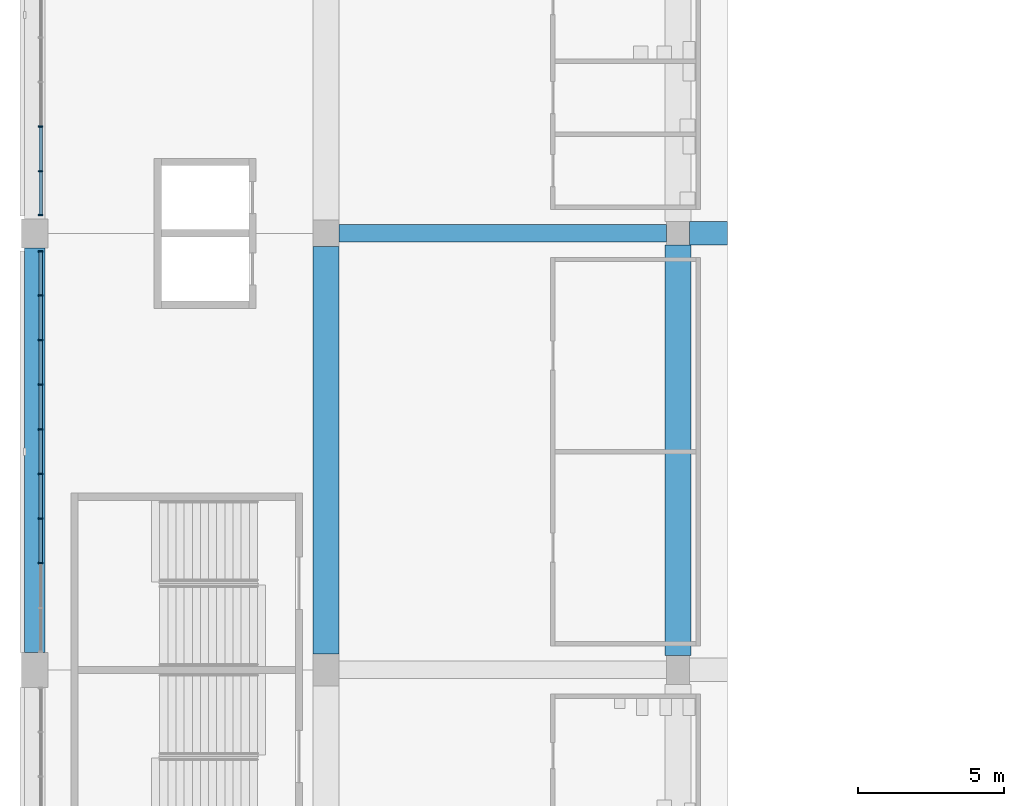
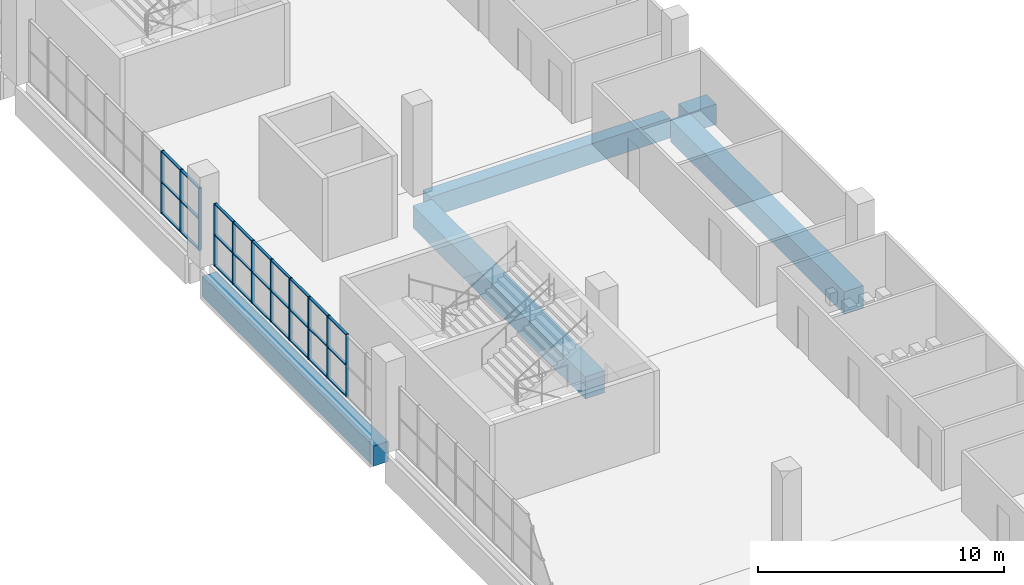
# One storey, part 19 of 199: 38 members, 5 beams, 2 elements without a shape of their own.
"""IFC4 building model written with IfcOpenShell, lengths in metres."""

import ifcopenshell
import ifcopenshell.guid

model = None  # the IFC model being written
_history = None  # IfcOwnerHistory: only IFC2X3 demands one
_inside = {}  # id of a spatial element -> (the spatial element, [elements in it])
_under = {}  # id of a project, library or spatial element -> (it, [spatial elements below it])
_declared = {}  # id of a project -> (the project, [libraries it declares])
_typed = {}  # id of a type object -> (the type object, [elements of that type])
_made_of = {}  # id of a material, layer set ... -> (it, [elements and type objects made of it])


def new_model(schema):
    """Start an empty IFC model of exactly this schema.

    Asked for "IFC4X3", IfcOpenShell would pick the latest addendum, in which some entities
    have other attributes; the version numbers below select the first issue.
    IFC2X3 requires an IfcOwnerHistory on every rooted entity: one is made here for all.
    """
    global model, _history
    if schema == "IFC4X3":
        model = ifcopenshell.file(schema_version=(4, 3, 0, 0))
    else:
        model = ifcopenshell.file(schema=schema)
    _inside.clear()
    _under.clear()
    _declared.clear()
    _typed.clear()
    _made_of.clear()
    _history = None
    if model.schema == "IFC2X3":
        org = make("IfcOrganization", Name="unknown")
        user = make(
            "IfcPersonAndOrganization",
            ThePerson=make("IfcPerson", FamilyName="unknown"),
            TheOrganization=org,
        )
        app = make(
            "IfcApplication",
            ApplicationDeveloper=org,
            Version="unknown",
            ApplicationFullName="unknown",
            ApplicationIdentifier="unknown",
        )
        _history = make(
            "IfcOwnerHistory",
            OwningUser=user,
            OwningApplication=app,
            ChangeAction="ADDED",
            CreationDate=0,
        )
    return model


def make(cls, **values):
    """One entity of the class cls with the attributes given. An attribute that is None is left unset."""
    return model.create_entity(
        cls, **{name: value for name, value in values.items() if value is not None}
    )


def rooted(cls, **values):
    """An entity with a GlobalId (a new one), such as an element, a storey or a relation."""
    return make(cls, GlobalId=ifcopenshell.guid.new(), OwnerHistory=_history, **values)


def si_unit(unit_type, name, prefix=None):
    """IfcSIUnit, for example si_unit("LENGTHUNIT", "METRE", prefix="MILLI")."""
    return make("IfcSIUnit", UnitType=unit_type, Prefix=prefix, Name=name)


def assignment(units):
    """IfcUnitAssignment: the units of a project."""
    return None if units is None else make("IfcUnitAssignment", Units=units)


def point(xyz):
    """IfcCartesianPoint."""
    return None if xyz is None else make("IfcCartesianPoint", Coordinates=xyz)


def direction(xyz):
    """IfcDirection."""
    return None if xyz is None else make("IfcDirection", DirectionRatios=xyz)


def frame(location, z_axis=None, x_axis=None):
    """IfcAxis2Placement3D, a coordinate frame: its origin and axes. An axis left out is left unset."""
    return make(
        "IfcAxis2Placement3D",
        Location=point(location),
        Axis=direction(z_axis),
        RefDirection=direction(x_axis),
    )


def frame_2d(location, x_axis=None):
    """IfcAxis2Placement2D, a coordinate frame in the plane: its origin and x axis."""
    return make(
        "IfcAxis2Placement2D", Location=point(location), RefDirection=direction(x_axis)
    )


def origin():
    """The frame at (0, 0, 0) with its axes left unset."""
    return frame((0.0, 0.0, 0.0))


def origin_2d():
    """The frame at (0, 0) in the plane with its x axis left unset."""
    return frame_2d((0.0, 0.0))


def place(relative_to, where):
    """IfcLocalPlacement: puts the frame where relative to a parent placement (None: the world)."""
    return make(
        "IfcLocalPlacement", PlacementRelTo=relative_to, RelativePlacement=where
    )


def context(
    kind, dimensions, precision=None, world=None, true_north=None, identifier=None
):
    """IfcGeometricRepresentationContext, for example the 3D "Model" context."""
    return make(
        "IfcGeometricRepresentationContext",
        ContextIdentifier=identifier,
        ContextType=kind,
        CoordinateSpaceDimension=dimensions,
        Precision=precision,
        WorldCoordinateSystem=world,
        TrueNorth=true_north,
    )


def subcontext(parent, identifier, kind, view, scale=None):
    """IfcGeometricRepresentationSubContext, for example "Body" below "Model"."""
    return make(
        "IfcGeometricRepresentationSubContext",
        ContextIdentifier=identifier,
        ContextType=kind,
        ParentContext=parent,
        TargetScale=scale,
        TargetView=view,
    )


def project(units=None, contexts=None):
    """IfcProject with its units and contexts."""
    return rooted(
        "IfcProject",
        Name="project",
        RepresentationContexts=contexts,
        UnitsInContext=assignment(units),
    )


def spatial(cls, under=None, at=None, **own):
    """A site, building, storey or space (cls), placed at a placement, below another one or the project."""
    s = rooted(cls, ObjectPlacement=at, **own)
    if under is not None:
        _under.setdefault(under.id(), (under, []))[1].append(s)
    return s


def profile(cls, at=None, kind="AREA", **sizes):
    """A parametric profile (cls). Its sizes go by their IFC names, for example OverallWidth=200.0."""
    return make(cls, ProfileType=kind, Position=at, **sizes)


def rectangle(**sizes):
    """IfcRectangleProfileDef."""
    return profile("IfcRectangleProfileDef", **sizes)


def extrude(swept, where, along, depth):
    """IfcExtrudedAreaSolid: the profile swept, set in the frame where, extruded along a direction by depth."""
    return make(
        "IfcExtrudedAreaSolid",
        SweptArea=swept,
        Position=where,
        ExtrudedDirection=direction(along),
        Depth=depth,
    )


def shape(context_of_items, identifier, shape_type, items):
    """IfcShapeRepresentation: the items that make up one representation, for example the "Body"."""
    return make(
        "IfcShapeRepresentation",
        ContextOfItems=context_of_items,
        RepresentationIdentifier=identifier,
        RepresentationType=shape_type,
        Items=items,
    )


def material(Name=None, Category=None):
    """IfcMaterial."""
    return make("IfcMaterial", Name=Name, Category=Category)


def material_profile(
    of_material, cross_section, Name=None, Category=None, Priority=None
):
    """IfcMaterialProfile: a cross section and its material."""
    return make(
        "IfcMaterialProfile",
        Name=Name,
        Material=of_material,
        Profile=cross_section,
        Priority=Priority,
        Category=Category,
    )


def profile_set(profiles, Name=None, composite=None):
    """IfcMaterialProfileSet."""
    return make(
        "IfcMaterialProfileSet",
        Name=Name,
        MaterialProfiles=profiles,
        CompositeProfile=composite,
    )


def made_of(thing, what):
    """Note that an element or type object is made of a material, layer set ...; save() writes the relation."""
    if what is not None:
        _made_of.setdefault(what.id(), (what, []))[1].append(thing)
    return thing


def type_object(cls, material=None, **own):
    """A type object (cls), such as IfcWallType, which elements share."""
    return made_of(rooted(cls, **own), material)


def element(
    cls,
    number,
    at=None,
    inside=None,
    cuts=None,
    type_object=None,
    material=None,
    context=None,
    identifier="Body",
    shape_type=None,
    held_by="IfcProductDefinitionShape",
    body=None,
    shapes=None,
    **own,
):
    """One element of the class cls, such as IfcWall. Its Tag is "e" and its number.

    at: its placement. inside: the storey or other place that contains it. cuts: it is an
    opening in that element (IfcRelVoidsElement). A single representation is given by context,
    identifier, shape_type and body (its items); several are given by shapes. held_by: the class
    of the entity that holds the representations. save() writes the other relations.
    """
    e = rooted(cls, Tag="e%d" % number, ObjectPlacement=at, **own)
    if body is not None:
        shapes = [shape(context, identifier, shape_type, body)]
    if shapes is not None:
        e.Representation = make(held_by, Representations=shapes)
    if inside is not None:
        _inside.setdefault(inside.id(), (inside, []))[1].append(e)
    if cuts is not None:
        rooted(
            "IfcRelVoidsElement", RelatingBuildingElement=cuts, RelatedOpeningElement=e
        )
    if type_object is not None:
        _typed.setdefault(type_object.id(), (type_object, []))[1].append(e)
    return made_of(e, material)


def aggregate(whole, parts):
    """IfcRelAggregates: a whole, such as a stair, and the parts it consists of."""
    return rooted("IfcRelAggregates", RelatingObject=whole, RelatedObjects=parts)


def save(model, path):
    """Write the relations noted so far, then the file.

    IfcRelAggregates (storeys below a building ...), IfcRelContainedInSpatialStructure (elements
    in a storey), IfcRelDefinesByType, IfcRelAssociatesMaterial and IfcRelDeclares: one each for
    every whole, place, type object, material and project.
    """
    for whole, parts in _under.values():
        aggregate(whole, parts)
    for where, things in _inside.values():
        rooted(
            "IfcRelContainedInSpatialStructure",
            RelatedElements=things,
            RelatingStructure=where,
        )
    for kind, things in _typed.values():
        rooted("IfcRelDefinesByType", RelatedObjects=things, RelatingType=kind)
    for what, things in _made_of.values():
        rooted("IfcRelAssociatesMaterial", RelatedObjects=things, RelatingMaterial=what)
    for by, libraries in _declared.values():
        rooted("IfcRelDeclares", RelatingContext=by, RelatedDefinitions=libraries)
    model.write(path)


model = new_model("IFC4")

# Units and contexts
model_context = context("Model", 3, precision=1e-05, world=origin(), true_north=direction((0.0, 1.0)))
body_context = subcontext(model_context, "Body", "Model", "MODEL_VIEW")
ifc_project = project(units=[si_unit("LENGTHUNIT", "METRE"), si_unit("AREAUNIT", "SQUARE_METRE"), si_unit("VOLUMEUNIT", "CUBIC_METRE"), si_unit("PLANEANGLEUNIT", "RADIAN"), si_unit("MASSUNIT", "GRAM", prefix="KILO")], contexts=[model_context])

# Site, building, storey
site_placement = place(None, origin())
site = spatial("IfcSite", under=ifc_project, at=site_placement, CompositionType="ELEMENT")
building_placement = place(site_placement, origin())
building = spatial("IfcBuilding", under=site, at=building_placement, Name="Ogive Plaza Stadium", CompositionType="ELEMENT")
storey_placement = place(building_placement, frame((0.0, 0.0, 4.5)))
storey = spatial("IfcBuildingStorey", under=building, at=storey_placement, Name="L01", CompositionType="ELEMENT", Elevation=4.5)

# Curtain wall, members
ifc_material_1 = material(Name="Bronze-anodised aluminium with laminated glass", Category="aluminium")
curtain_wall_type = type_object("IfcCurtainWallType", Name="Lancet curtain wall", PredefinedType="NOTDEFINED", material=ifc_material_1)
curtain_wall_1_placement = place(storey_placement, origin())
curtain_wall_1 = element("IfcCurtainWall", 1, at=curtain_wall_1_placement, inside=storey, type_object=curtain_wall_type, Name="CURTAIN WALL B24 L01", PredefinedType="NOTDEFINED")
ifc_material_2 = material(Name="Bronze-anodised aluminium", Category="aluminium")
ifc_material_profile_1 = material_profile(ifc_material_2, rectangle(XDim=0.14990234375, YDim=0.050048828125, at=origin_2d()), Name="AL 150x50")
ifc_profile_set_1 = profile_set([ifc_material_profile_1], Name="Bronze-anodised aluminium")
member_type_1 = type_object("IfcMemberType", Name="Curtain wall mullion 50x150", PredefinedType="MULLION", material=ifc_profile_set_1)
member_1_placement = place(storey_placement, frame((-83.800048828125, -3.833251953125, 0.0), z_axis=(0.0, 0.0, 1.0), x_axis=(-1.0, 0.0, 0.0)))
member_1 = element("IfcMember", 2, at=member_1_placement, type_object=member_type_1, Name="CW-B24-L01 mullion 3", PredefinedType="MULLION", context=body_context, shape_type="SweptSolid", body=[
    extrude(rectangle(XDim=0.14990234375, YDim=0.050048828125, at=origin_2d()), origin(), (0.0, 0.0, 1.0), 3.090087890625),
])
member_2_placement = place(storey_placement, frame((-83.800048828125, -2.300048828125, 0.0), z_axis=(0.0, 0.0, 1.0), x_axis=(-1.0, 0.0, 0.0)))
member_2 = element("IfcMember", 3, at=member_2_placement, type_object=member_type_1, Name="CW-B24-L01 mullion 4", PredefinedType="MULLION", context=body_context, shape_type="SweptSolid", body=[
    extrude(rectangle(XDim=0.14990234375, YDim=0.050048828125, at=origin_2d()), origin(), (0.0, 0.0, 1.0), 3.090087890625),
])
member_3_placement = place(storey_placement, frame((-83.800048828125, -0.7666015625, 0.0), z_axis=(0.0, 0.0, 1.0), x_axis=(-1.0, 0.0, 0.0)))
member_3 = element("IfcMember", 4, at=member_3_placement, type_object=member_type_1, Name="CW-B24-L01 mullion 5", PredefinedType="MULLION", context=body_context, shape_type="SweptSolid", body=[
    extrude(rectangle(XDim=0.14990234375, YDim=0.050048828125, at=origin_2d()), origin(), (0.0, 0.0, 1.0), 3.090087890625),
])
member_4_placement = place(storey_placement, frame((-83.800048828125, 0.7666015625, 0.0), z_axis=(0.0, 0.0, 1.0), x_axis=(-1.0, 0.0, 0.0)))
member_4 = element("IfcMember", 5, at=member_4_placement, type_object=member_type_1, Name="CW-B24-L01 mullion 6", PredefinedType="MULLION", context=body_context, shape_type="SweptSolid", body=[
    extrude(rectangle(XDim=0.14990234375, YDim=0.050048828125, at=origin_2d()), origin(), (0.0, 0.0, 1.0), 3.090087890625),
])
member_5_placement = place(storey_placement, frame((-83.800048828125, 2.300048828125, 0.0), z_axis=(0.0, 0.0, 1.0), x_axis=(-1.0, 0.0, 0.0)))
member_5 = element("IfcMember", 6, at=member_5_placement, type_object=member_type_1, Name="CW-B24-L01 mullion 7", PredefinedType="MULLION", context=body_context, shape_type="SweptSolid", body=[
    extrude(rectangle(XDim=0.14990234375, YDim=0.050048828125, at=origin_2d()), origin(), (0.0, 0.0, 1.0), 3.090087890625),
])
member_6_placement = place(storey_placement, frame((-83.800048828125, 3.833251953125, 0.0), z_axis=(0.0, 0.0, 1.0), x_axis=(-1.0, 0.0, 0.0)))
member_6 = element("IfcMember", 7, at=member_6_placement, type_object=member_type_1, Name="CW-B24-L01 mullion 8", PredefinedType="MULLION", context=body_context, shape_type="SweptSolid", body=[
    extrude(rectangle(XDim=0.14990234375, YDim=0.050048828125, at=origin_2d()), origin(), (0.0, 0.0, 1.0), 3.090087890625),
])
member_7_placement = place(storey_placement, frame((-83.800048828125, 5.36669921875, 0.0), z_axis=(0.0, 0.0, 1.0), x_axis=(-1.0, 0.0, 0.0)))
member_7 = element("IfcMember", 8, at=member_7_placement, type_object=member_type_1, Name="CW-B24-L01 mullion 9", PredefinedType="MULLION", context=body_context, shape_type="SweptSolid", body=[
    extrude(rectangle(XDim=0.14990234375, YDim=0.050048828125, at=origin_2d()), origin(), (0.0, 0.0, 1.0), 3.090087890625),
])
member_8_placement = place(storey_placement, frame((-83.800048828125, 6.875, 0.0), z_axis=(0.0, 0.0, 1.0), x_axis=(-1.0, 0.0, 0.0)))
member_8 = element("IfcMember", 9, at=member_8_placement, type_object=member_type_1, Name="CW-B24-L01 mullion 10", PredefinedType="MULLION", context=body_context, shape_type="SweptSolid", body=[
    extrude(rectangle(XDim=0.14990234375, YDim=0.050048828125, at=origin_2d()), origin(), (0.0, 0.0, 1.0), 3.090087890625),
])

curtain_wall_2_placement = place(storey_placement, origin())
curtain_wall_2 = element("IfcCurtainWall", 10, at=curtain_wall_2_placement, inside=storey, type_object=curtain_wall_type, Name="CURTAIN WALL B25 L01", PredefinedType="NOTDEFINED")
member_9_placement = place(storey_placement, frame((-83.800048828125, 8.125, 0.0), z_axis=(0.0, 0.0, 1.0), x_axis=(-1.0, 0.0, 0.0)))
member_9 = element("IfcMember", 11, at=member_9_placement, type_object=member_type_1, Name="CW-B25-L01 mullion 1", PredefinedType="MULLION", context=body_context, shape_type="SweptSolid", body=[
    extrude(rectangle(XDim=0.14990234375, YDim=0.050048828125, at=origin_2d()), origin(), (0.0, 0.0, 1.0), 3.090087890625),
])
member_10_placement = place(storey_placement, frame((-83.800048828125, 9.63330078125, 0.0), z_axis=(0.0, 0.0, 1.0), x_axis=(-1.0, 0.0, 0.0)))
member_10 = element("IfcMember", 12, at=member_10_placement, type_object=member_type_1, Name="CW-B25-L01 mullion 2", PredefinedType="MULLION", context=body_context, shape_type="SweptSolid", body=[
    extrude(rectangle(XDim=0.14990234375, YDim=0.050048828125, at=origin_2d()), origin(), (0.0, 0.0, 1.0), 3.090087890625),
])
member_11_placement = place(storey_placement, frame((-83.800048828125, 11.166748046875, 0.0), z_axis=(0.0, 0.0, 1.0), x_axis=(-1.0, 0.0, 0.0)))
member_11 = element("IfcMember", 13, at=member_11_placement, type_object=member_type_1, Name="CW-B25-L01 mullion 3", PredefinedType="MULLION", context=body_context, shape_type="SweptSolid", body=[
    extrude(rectangle(XDim=0.14990234375, YDim=0.050048828125, at=origin_2d()), origin(), (0.0, 0.0, 1.0), 3.090087890625),
])

# Member
ifc_material_3 = material(Name="Bronze-anodised aluminium", Category="aluminium")
ifc_material_profile_2 = material_profile(ifc_material_3, rectangle(XDim=0.1201171875, YDim=0.050048828125, at=origin_2d()), Name="AL 120x50")
ifc_profile_set_2 = profile_set([ifc_material_profile_2], Name="Bronze-anodised aluminium")
member_type_2 = type_object("IfcMemberType", Name="Curtain wall transom 50x120", PredefinedType="USERDEFINED", material=ifc_profile_set_2)
member_12_placement = place(storey_placement, frame((-83.800048828125, -3.808349609375, 0.02490234375), z_axis=(0.0, 1.0, 0.0), x_axis=(-1.0, 0.0, 0.0)))
member_12 = element("IfcMember", 14, at=member_12_placement, type_object=member_type_2, Name="CW-B24-L01 transom 3.1", ObjectType="TRANSOM", PredefinedType="USERDEFINED", context=body_context, shape_type="SweptSolid", body=[
    extrude(rectangle(XDim=0.1201171875, YDim=0.050048828125, at=origin_2d()), origin(), (0.0, 0.0, 1.0), 1.4833984375),
])

member_13_placement = place(storey_placement, frame((-83.800048828125, -3.808349609375, 1.544921875), z_axis=(0.0, 1.0, 0.0), x_axis=(-1.0, 0.0, 0.0)))
member_13 = element("IfcMember", 15, at=member_13_placement, type_object=member_type_2, Name="CW-B24-L01 transom 3.2", ObjectType="TRANSOM", PredefinedType="USERDEFINED", context=body_context, shape_type="SweptSolid", body=[
    extrude(rectangle(XDim=0.1201171875, YDim=0.050048828125, at=origin_2d()), origin(), (0.0, 0.0, 1.0), 1.4833984375),
])

member_14_placement = place(storey_placement, frame((-83.800048828125, -3.808349609375, 3.06494140625), z_axis=(0.0, 1.0, 0.0), x_axis=(-1.0, 0.0, 0.0)))
member_14 = element("IfcMember", 16, at=member_14_placement, type_object=member_type_2, Name="CW-B24-L01 transom 3.3", ObjectType="TRANSOM", PredefinedType="USERDEFINED", context=body_context, shape_type="SweptSolid", body=[
    extrude(rectangle(XDim=0.1201171875, YDim=0.050048828125, at=origin_2d()), origin(), (0.0, 0.0, 1.0), 1.4833984375),
])

member_15_placement = place(storey_placement, frame((-83.800048828125, -2.27490234375, 0.02490234375), z_axis=(0.0, 1.0, 0.0), x_axis=(-1.0, 0.0, 0.0)))
member_15 = element("IfcMember", 17, at=member_15_placement, type_object=member_type_2, Name="CW-B24-L01 transom 4.1", ObjectType="TRANSOM", PredefinedType="USERDEFINED", context=body_context, shape_type="SweptSolid", body=[
    extrude(rectangle(XDim=0.1201171875, YDim=0.050048828125, at=origin_2d()), origin(), (0.0, 0.0, 1.0), 1.483154296875),
])

member_16_placement = place(storey_placement, frame((-83.800048828125, -2.27490234375, 1.544921875), z_axis=(0.0, 1.0, 0.0), x_axis=(-1.0, 0.0, 0.0)))
member_16 = element("IfcMember", 18, at=member_16_placement, type_object=member_type_2, Name="CW-B24-L01 transom 4.2", ObjectType="TRANSOM", PredefinedType="USERDEFINED", context=body_context, shape_type="SweptSolid", body=[
    extrude(rectangle(XDim=0.1201171875, YDim=0.050048828125, at=origin_2d()), origin(), (0.0, 0.0, 1.0), 1.483154296875),
])

member_17_placement = place(storey_placement, frame((-83.800048828125, -2.27490234375, 3.06494140625), z_axis=(0.0, 1.0, 0.0), x_axis=(-1.0, 0.0, 0.0)))
member_17 = element("IfcMember", 19, at=member_17_placement, type_object=member_type_2, Name="CW-B24-L01 transom 4.3", ObjectType="TRANSOM", PredefinedType="USERDEFINED", context=body_context, shape_type="SweptSolid", body=[
    extrude(rectangle(XDim=0.1201171875, YDim=0.050048828125, at=origin_2d()), origin(), (0.0, 0.0, 1.0), 1.483154296875),
])

member_18_placement = place(storey_placement, frame((-83.800048828125, -0.74169921875, 0.02490234375), z_axis=(0.0, 1.0, 0.0), x_axis=(-1.0, 0.0, 0.0)))
member_18 = element("IfcMember", 20, at=member_18_placement, type_object=member_type_2, Name="CW-B24-L01 transom 5.1", ObjectType="TRANSOM", PredefinedType="USERDEFINED", context=body_context, shape_type="SweptSolid", body=[
    extrude(rectangle(XDim=0.1201171875, YDim=0.050048828125, at=origin_2d()), origin(), (0.0, 0.0, 1.0), 1.4833984375),
])

member_19_placement = place(storey_placement, frame((-83.800048828125, -0.74169921875, 1.544921875), z_axis=(0.0, 1.0, 0.0), x_axis=(-1.0, 0.0, 0.0)))
member_19 = element("IfcMember", 21, at=member_19_placement, type_object=member_type_2, Name="CW-B24-L01 transom 5.2", ObjectType="TRANSOM", PredefinedType="USERDEFINED", context=body_context, shape_type="SweptSolid", body=[
    extrude(rectangle(XDim=0.1201171875, YDim=0.050048828125, at=origin_2d()), origin(), (0.0, 0.0, 1.0), 1.4833984375),
])

member_20_placement = place(storey_placement, frame((-83.800048828125, -0.74169921875, 3.06494140625), z_axis=(0.0, 1.0, 0.0), x_axis=(-1.0, 0.0, 0.0)))
member_20 = element("IfcMember", 22, at=member_20_placement, type_object=member_type_2, Name="CW-B24-L01 transom 5.3", ObjectType="TRANSOM", PredefinedType="USERDEFINED", context=body_context, shape_type="SweptSolid", body=[
    extrude(rectangle(XDim=0.1201171875, YDim=0.050048828125, at=origin_2d()), origin(), (0.0, 0.0, 1.0), 1.4833984375),
])

member_21_placement = place(storey_placement, frame((-83.800048828125, 0.791748046875, 0.02490234375), z_axis=(0.0, 1.0, 0.0), x_axis=(-1.0, 0.0, 0.0)))
member_21 = element("IfcMember", 23, at=member_21_placement, type_object=member_type_2, Name="CW-B24-L01 transom 6.1", ObjectType="TRANSOM", PredefinedType="USERDEFINED", context=body_context, shape_type="SweptSolid", body=[
    extrude(rectangle(XDim=0.1201171875, YDim=0.050048828125, at=origin_2d()), origin(), (0.0, 0.0, 1.0), 1.483154296875),
])

member_22_placement = place(storey_placement, frame((-83.800048828125, 0.791748046875, 1.544921875), z_axis=(0.0, 1.0, 0.0), x_axis=(-1.0, 0.0, 0.0)))
member_22 = element("IfcMember", 24, at=member_22_placement, type_object=member_type_2, Name="CW-B24-L01 transom 6.2", ObjectType="TRANSOM", PredefinedType="USERDEFINED", context=body_context, shape_type="SweptSolid", body=[
    extrude(rectangle(XDim=0.1201171875, YDim=0.050048828125, at=origin_2d()), origin(), (0.0, 0.0, 1.0), 1.483154296875),
])

member_23_placement = place(storey_placement, frame((-83.800048828125, 0.791748046875, 3.06494140625), z_axis=(0.0, 1.0, 0.0), x_axis=(-1.0, 0.0, 0.0)))
member_23 = element("IfcMember", 25, at=member_23_placement, type_object=member_type_2, Name="CW-B24-L01 transom 6.3", ObjectType="TRANSOM", PredefinedType="USERDEFINED", context=body_context, shape_type="SweptSolid", body=[
    extrude(rectangle(XDim=0.1201171875, YDim=0.050048828125, at=origin_2d()), origin(), (0.0, 0.0, 1.0), 1.483154296875),
])

member_24_placement = place(storey_placement, frame((-83.800048828125, 2.324951171875, 0.02490234375), z_axis=(0.0, 1.0, 0.0), x_axis=(-1.0, 0.0, 0.0)))
member_24 = element("IfcMember", 26, at=member_24_placement, type_object=member_type_2, Name="CW-B24-L01 transom 7.1", ObjectType="TRANSOM", PredefinedType="USERDEFINED", context=body_context, shape_type="SweptSolid", body=[
    extrude(rectangle(XDim=0.1201171875, YDim=0.050048828125, at=origin_2d()), origin(), (0.0, 0.0, 1.0), 1.4833984375),
])

member_25_placement = place(storey_placement, frame((-83.800048828125, 2.324951171875, 1.544921875), z_axis=(0.0, 1.0, 0.0), x_axis=(-1.0, 0.0, 0.0)))
member_25 = element("IfcMember", 27, at=member_25_placement, type_object=member_type_2, Name="CW-B24-L01 transom 7.2", ObjectType="TRANSOM", PredefinedType="USERDEFINED", context=body_context, shape_type="SweptSolid", body=[
    extrude(rectangle(XDim=0.1201171875, YDim=0.050048828125, at=origin_2d()), origin(), (0.0, 0.0, 1.0), 1.4833984375),
])

member_26_placement = place(storey_placement, frame((-83.800048828125, 2.324951171875, 3.06494140625), z_axis=(0.0, 1.0, 0.0), x_axis=(-1.0, 0.0, 0.0)))
member_26 = element("IfcMember", 28, at=member_26_placement, type_object=member_type_2, Name="CW-B24-L01 transom 7.3", ObjectType="TRANSOM", PredefinedType="USERDEFINED", context=body_context, shape_type="SweptSolid", body=[
    extrude(rectangle(XDim=0.1201171875, YDim=0.050048828125, at=origin_2d()), origin(), (0.0, 0.0, 1.0), 1.4833984375),
])

member_27_placement = place(storey_placement, frame((-83.800048828125, 3.8583984375, 0.02490234375), z_axis=(0.0, 1.0, 0.0), x_axis=(-1.0, 0.0, 0.0)))
member_27 = element("IfcMember", 29, at=member_27_placement, type_object=member_type_2, Name="CW-B24-L01 transom 8.1", ObjectType="TRANSOM", PredefinedType="USERDEFINED", context=body_context, shape_type="SweptSolid", body=[
    extrude(rectangle(XDim=0.1201171875, YDim=0.050048828125, at=origin_2d()), origin(), (0.0, 0.0, 1.0), 1.483154296875),
])

member_28_placement = place(storey_placement, frame((-83.800048828125, 3.8583984375, 1.544921875), z_axis=(0.0, 1.0, 0.0), x_axis=(-1.0, 0.0, 0.0)))
member_28 = element("IfcMember", 30, at=member_28_placement, type_object=member_type_2, Name="CW-B24-L01 transom 8.2", ObjectType="TRANSOM", PredefinedType="USERDEFINED", context=body_context, shape_type="SweptSolid", body=[
    extrude(rectangle(XDim=0.1201171875, YDim=0.050048828125, at=origin_2d()), origin(), (0.0, 0.0, 1.0), 1.483154296875),
])

member_29_placement = place(storey_placement, frame((-83.800048828125, 3.8583984375, 3.06494140625), z_axis=(0.0, 1.0, 0.0), x_axis=(-1.0, 0.0, 0.0)))
member_29 = element("IfcMember", 31, at=member_29_placement, type_object=member_type_2, Name="CW-B24-L01 transom 8.3", ObjectType="TRANSOM", PredefinedType="USERDEFINED", context=body_context, shape_type="SweptSolid", body=[
    extrude(rectangle(XDim=0.1201171875, YDim=0.050048828125, at=origin_2d()), origin(), (0.0, 0.0, 1.0), 1.483154296875),
])

member_30_placement = place(storey_placement, frame((-83.800048828125, 5.3916015625, 0.02490234375), z_axis=(0.0, 1.0, 0.0), x_axis=(-1.0, 0.0, 0.0)))
member_30 = element("IfcMember", 32, at=member_30_placement, type_object=member_type_2, Name="CW-B24-L01 transom 9.1", ObjectType="TRANSOM", PredefinedType="USERDEFINED", context=body_context, shape_type="SweptSolid", body=[
    extrude(rectangle(XDim=0.1201171875, YDim=0.050048828125, at=origin_2d()), origin(), (0.0, 0.0, 1.0), 1.45849609375),
])

member_31_placement = place(storey_placement, frame((-83.800048828125, 5.3916015625, 1.544921875), z_axis=(0.0, 1.0, 0.0), x_axis=(-1.0, 0.0, 0.0)))
member_31 = element("IfcMember", 33, at=member_31_placement, type_object=member_type_2, Name="CW-B24-L01 transom 9.2", ObjectType="TRANSOM", PredefinedType="USERDEFINED", context=body_context, shape_type="SweptSolid", body=[
    extrude(rectangle(XDim=0.1201171875, YDim=0.050048828125, at=origin_2d()), origin(), (0.0, 0.0, 1.0), 1.45849609375),
])

member_32_placement = place(storey_placement, frame((-83.800048828125, 5.3916015625, 3.06494140625), z_axis=(0.0, 1.0, 0.0), x_axis=(-1.0, 0.0, 0.0)))
member_32 = element("IfcMember", 34, at=member_32_placement, type_object=member_type_2, Name="CW-B24-L01 transom 9.3", ObjectType="TRANSOM", PredefinedType="USERDEFINED", context=body_context, shape_type="SweptSolid", body=[
    extrude(rectangle(XDim=0.1201171875, YDim=0.050048828125, at=origin_2d()), origin(), (0.0, 0.0, 1.0), 1.45849609375),
])

aggregate(curtain_wall_1, [member_1, member_2, member_3, member_4, member_5, member_6, member_7, member_8, member_12, member_13, member_14, member_15, member_16, member_17, member_18, member_19, member_20, member_21, member_22, member_23, member_24, member_25, member_26, member_27, member_28, member_29, member_30, member_31, member_32])

member_33_placement = place(storey_placement, frame((-83.800048828125, 8.14990234375, 0.02490234375), z_axis=(0.0, 1.0, 0.0), x_axis=(-1.0, 0.0, 0.0)))
member_33 = element("IfcMember", 35, at=member_33_placement, type_object=member_type_2, Name="CW-B25-L01 transom 1.1", ObjectType="TRANSOM", PredefinedType="USERDEFINED", context=body_context, shape_type="SweptSolid", body=[
    extrude(rectangle(XDim=0.1201171875, YDim=0.050048828125, at=origin_2d()), origin(), (0.0, 0.0, 1.0), 1.45849609375),
])

member_34_placement = place(storey_placement, frame((-83.800048828125, 8.14990234375, 1.544921875), z_axis=(0.0, 1.0, 0.0), x_axis=(-1.0, 0.0, 0.0)))
member_34 = element("IfcMember", 36, at=member_34_placement, type_object=member_type_2, Name="CW-B25-L01 transom 1.2", ObjectType="TRANSOM", PredefinedType="USERDEFINED", context=body_context, shape_type="SweptSolid", body=[
    extrude(rectangle(XDim=0.1201171875, YDim=0.050048828125, at=origin_2d()), origin(), (0.0, 0.0, 1.0), 1.45849609375),
])

member_35_placement = place(storey_placement, frame((-83.800048828125, 8.14990234375, 3.06494140625), z_axis=(0.0, 1.0, 0.0), x_axis=(-1.0, 0.0, 0.0)))
member_35 = element("IfcMember", 37, at=member_35_placement, type_object=member_type_2, Name="CW-B25-L01 transom 1.3", ObjectType="TRANSOM", PredefinedType="USERDEFINED", context=body_context, shape_type="SweptSolid", body=[
    extrude(rectangle(XDim=0.1201171875, YDim=0.050048828125, at=origin_2d()), origin(), (0.0, 0.0, 1.0), 1.45849609375),
])

member_36_placement = place(storey_placement, frame((-83.800048828125, 9.658447265625, 0.02490234375), z_axis=(0.0, 1.0, 0.0), x_axis=(-1.0, 0.0, 0.0)))
member_36 = element("IfcMember", 38, at=member_36_placement, type_object=member_type_2, Name="CW-B25-L01 transom 2.1", ObjectType="TRANSOM", PredefinedType="USERDEFINED", context=body_context, shape_type="SweptSolid", body=[
    extrude(rectangle(XDim=0.1201171875, YDim=0.050048828125, at=origin_2d()), origin(), (0.0, 0.0, 1.0), 1.483154296875),
])

member_37_placement = place(storey_placement, frame((-83.800048828125, 9.658447265625, 1.544921875), z_axis=(0.0, 1.0, 0.0), x_axis=(-1.0, 0.0, 0.0)))
member_37 = element("IfcMember", 39, at=member_37_placement, type_object=member_type_2, Name="CW-B25-L01 transom 2.2", ObjectType="TRANSOM", PredefinedType="USERDEFINED", context=body_context, shape_type="SweptSolid", body=[
    extrude(rectangle(XDim=0.1201171875, YDim=0.050048828125, at=origin_2d()), origin(), (0.0, 0.0, 1.0), 1.483154296875),
])

member_38_placement = place(storey_placement, frame((-83.800048828125, 9.658447265625, 3.06494140625), z_axis=(0.0, 1.0, 0.0), x_axis=(-1.0, 0.0, 0.0)))
member_38 = element("IfcMember", 40, at=member_38_placement, type_object=member_type_2, Name="CW-B25-L01 transom 2.3", ObjectType="TRANSOM", PredefinedType="USERDEFINED", context=body_context, shape_type="SweptSolid", body=[
    extrude(rectangle(XDim=0.1201171875, YDim=0.050048828125, at=origin_2d()), origin(), (0.0, 0.0, 1.0), 1.483154296875),
])

aggregate(curtain_wall_2, [member_9, member_10, member_11, member_33, member_34, member_35, member_36, member_37, member_38])

# Beams
ifc_material_4 = material(Name="Concrete C40/50", Category="concrete")
ifc_material_profile_3 = material_profile(ifc_material_4, rectangle(XDim=0.60009765625, YDim=1.0, at=origin_2d()), Name="RC 600x1000")
ifc_profile_set_3 = profile_set([ifc_material_profile_3], Name="Concrete C40/50")
beam_type_1 = type_object("IfcBeamType", Name="RC radial beam 600x1000", PredefinedType="BEAM", material=ifc_profile_set_3)
beam_1_placement = place(storey_placement, frame((-62.300048828125, 7.5, -0.909912109375), z_axis=(-1.0, 0.0, 0.0), x_axis=(0.0, -1.0, 0.0)))
element("IfcBeam", 41, at=beam_1_placement, inside=storey, type_object=beam_type_1, Name="Radial beam L01 R25 F3F4", PredefinedType="BEAM", context=body_context, shape_type="SweptSolid", body=[
    extrude(rectangle(XDim=0.60009765625, YDim=1.0, at=origin_2d()), origin(), (0.0, 0.0, 1.0), 11.25),
])
ifc_material_5 = material(Name="Concrete C40/50", Category="concrete")
ifc_material_profile_4 = material_profile(ifc_material_5, rectangle(XDim=0.800048828125, YDim=1.0, at=origin_2d()), Name="RC 800x1000")
ifc_profile_set_4 = profile_set([ifc_material_profile_4], Name="Concrete C40/50")
beam_type_2 = type_object("IfcBeamType", Name="RC radial beam 800x1000", PredefinedType="BEAM", material=ifc_profile_set_4)
beam_2_placement = place(storey_placement, frame((-60.199951171875, 7.5, -0.909912109375), z_axis=(-1.0, 0.0, 0.0), x_axis=(0.0, -1.0, 0.0)))
element("IfcBeam", 42, at=beam_2_placement, inside=storey, type_object=beam_type_2, Name="Raker tail beam LT R25", PredefinedType="BEAM", context=body_context, shape_type="SweptSolid", body=[
    extrude(rectangle(XDim=0.800048828125, YDim=1.0, at=origin_2d()), origin(), (0.0, 0.0, 1.0), 1.300048828125),
])
ifc_material_6 = material(Name="Concrete C40/50", Category="concrete")
ifc_material_profile_5 = material_profile(ifc_material_6, rectangle(XDim=0.89990234375, YDim=1.10009765625, at=origin_2d()), Name="RC 900x1100")
ifc_profile_set_5 = profile_set([ifc_material_profile_5], Name="Concrete C40/50")
beam_type_3 = type_object("IfcBeamType", Name="RC ring beam 900x1100", PredefinedType="BEAM", material=ifc_profile_set_5)
beam_3_placement = place(storey_placement, frame((-74.0, -6.949951171875, -0.9599609375), z_axis=(0.0, 1.0, 0.0), x_axis=(-1.0, 0.0, 0.0)))
element("IfcBeam", 43, at=beam_3_placement, inside=storey, type_object=beam_type_3, Name="Ring beam F4 L01 B24", PredefinedType="BEAM", context=body_context, shape_type="SweptSolid", body=[
    extrude(rectangle(XDim=0.89990234375, YDim=1.10009765625, at=origin_2d()), origin(), (0.0, 0.0, 1.0), 14.0),
])
beam_4_placement = place(storey_placement, frame((-61.89990234375, -7.0, -0.9599609375), z_axis=(0.0, 1.0, 0.0), x_axis=(-1.0, 0.0, 0.0)))
element("IfcBeam", 44, at=beam_4_placement, inside=storey, type_object=beam_type_3, Name="Ring beam F3 L01 B24", PredefinedType="BEAM", context=body_context, shape_type="SweptSolid", body=[
    extrude(rectangle(XDim=0.89990234375, YDim=1.10009765625, at=origin_2d()), origin(), (0.0, 0.0, 1.0), 14.10009765625),
])
ifc_material_7 = material(Name="Concrete C40/50", Category="concrete")
ifc_material_profile_6 = material_profile(ifc_material_7, rectangle(XDim=0.699951171875, YDim=1.0, at=origin_2d()), Name="RC 700x1000")
ifc_profile_set_6 = profile_set([ifc_material_profile_6], Name="Concrete C40/50")
beam_type_4 = type_object("IfcBeamType", Name="RC spandrel beam 700x1000", PredefinedType="SPANDREL", material=ifc_profile_set_6)
beam_5_placement = place(storey_placement, frame((-84.0, -6.89990234375, -0.909912109375), z_axis=(0.0, 1.0, 0.0), x_axis=(-1.0, 0.0, 0.0)))
element("IfcBeam", 45, at=beam_5_placement, inside=storey, type_object=beam_type_4, Name="Ring beam F5 L01 B24", PredefinedType="SPANDREL", context=body_context, shape_type="SweptSolid", body=[
    extrude(rectangle(XDim=0.699951171875, YDim=1.0, at=origin_2d()), origin(), (0.0, 0.0, 1.0), 13.89990234375),
])

save(model, "model.ifc")
